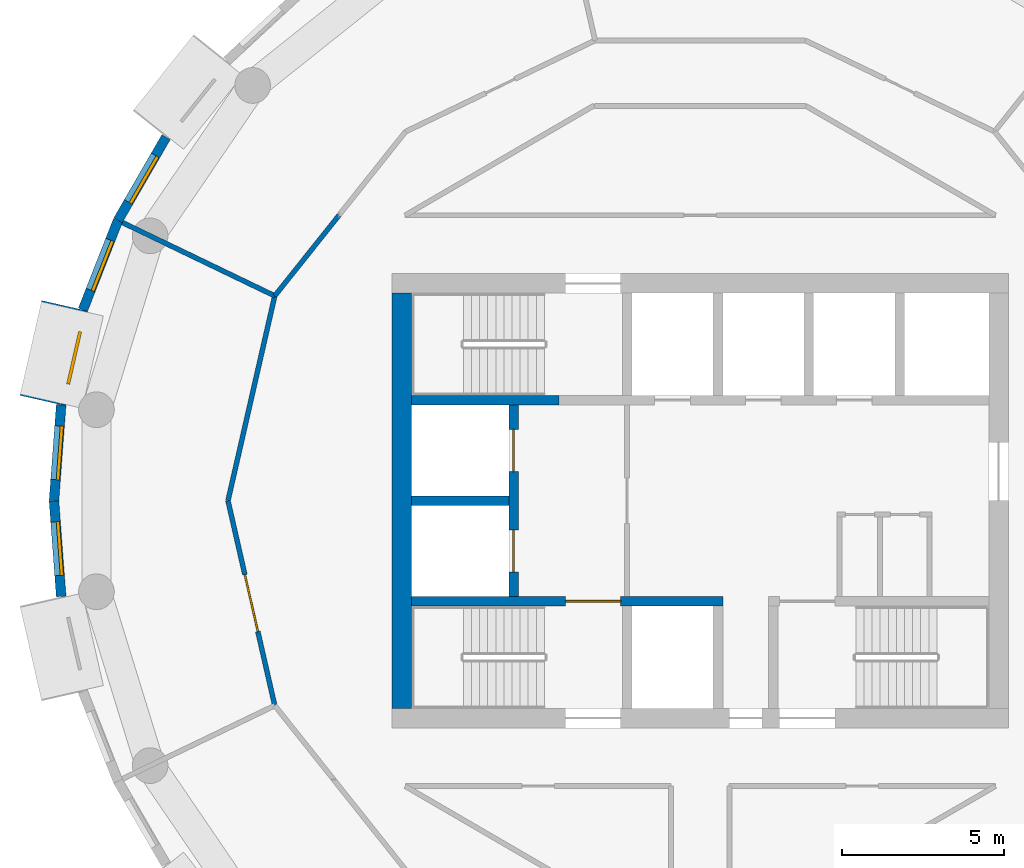
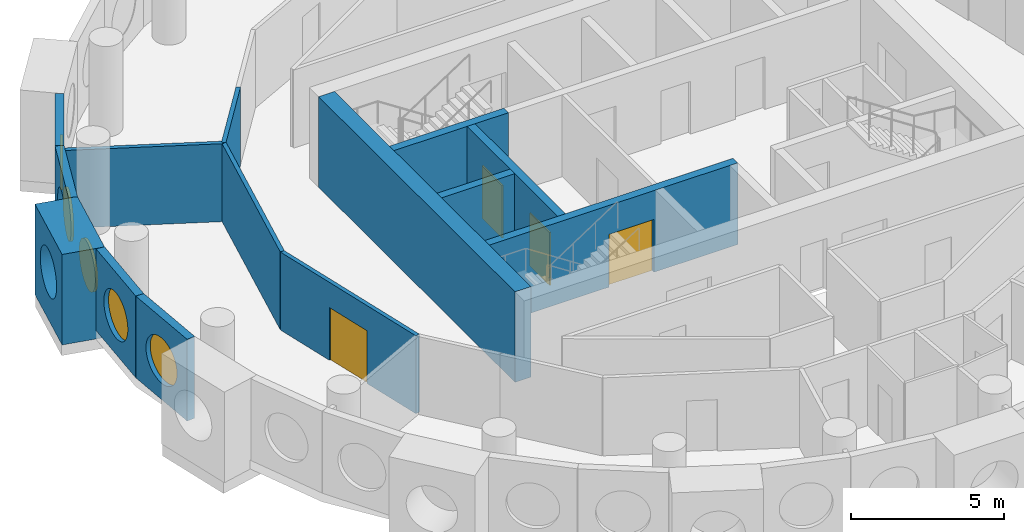
# One storey, part 6 of 13: 14 walls, 5 windows, 4 doors, 9 openings.
"""IFC4 building model written with IfcOpenShell, lengths in metres."""

from ifc_helpers import new_model, si_unit, direction, frame, frame_2d, origin, origin_2d, place, context, subcontext, project, spatial, rectangle, circle, extrude, material, layer, layer_set, type_object, element, fill, save


model = new_model("IFC4")

# Units and contexts
model_context = context("Model", 3, precision=1e-05, world=origin(), true_north=direction((0.0, 1.0)))
body_context = subcontext(model_context, "Body", "Model", "MODEL_VIEW")
ifc_project = project(units=[si_unit("LENGTHUNIT", "METRE"), si_unit("AREAUNIT", "SQUARE_METRE"), si_unit("VOLUMEUNIT", "CUBIC_METRE"), si_unit("PLANEANGLEUNIT", "RADIAN"), si_unit("MASSUNIT", "GRAM", prefix="KILO")], contexts=[model_context])

# Site, building, storey
site_placement = place(None, origin())
site = spatial("IfcSite", under=ifc_project, at=site_placement, CompositionType="ELEMENT")
building_placement = place(site_placement, origin())
building = spatial("IfcBuilding", under=site, at=building_placement, Name="Tracery Tower", CompositionType="ELEMENT")
storey_placement = place(building_placement, frame((0.0, 0.0, 270.60009765625)))
storey = spatial("IfcBuildingStorey", under=building, at=storey_placement, Name="L70", CompositionType="ELEMENT", Elevation=270.60009765625)

# Wall
ifc_material_1 = material(Name="Concrete C40/50", Category="concrete")
ifc_layer_1 = layer(ifc_material_1, 0.60009765625)
ifc_layer_set_1 = layer_set([ifc_layer_1], Name="Core wall 600 C40")
wall_type_1 = type_object("IfcWallType", Name="Core wall 600 C40", PredefinedType="SOLIDWALL", material=ifc_layer_set_1)
wall_1_placement = place(storey_placement, frame((-9.199951171875, -6.39990234375, 0.0), z_axis=(0.0, 0.0, 1.0), x_axis=(0.0, 1.0, 0.0)))
element("IfcWall", 1, at=wall_1_placement, inside=storey, type_object=wall_type_1, Name="L70 outer W", PredefinedType="SOLIDWALL", context=body_context, shape_type="SweptSolid", body=[
    extrude(rectangle(XDim=12.7998046875, YDim=0.60009765625, at=frame_2d((6.39990234375, 0.0))), origin(), (0.0, 0.0, 1.0), 3.599853515625),
])

# Wall, opening, window
ifc_material_2 = material(Name="Precast concrete C50/60", Category="concrete")
ifc_layer_2 = layer(ifc_material_2, 1.449951171875)
ifc_layer_set_2 = layer_set([ifc_layer_2], Name="Deep-set bay unit 3000 x 3600, slab edge 350")
wall_type_2 = type_object("IfcWallType", Name="Deep-set bay unit 3000 x 3600, slab edge 350", PredefinedType="ELEMENTEDWALL", material=ifc_layer_set_2)
wall_2_placement = place(storey_placement, frame((-19.5947265625, 6.010986328125, -0.35009765625), z_axis=(0.0, 0.0, 1.0), x_axis=(-0.222570682856, -0.974916555985, 0.0)))
wall_2 = element("IfcWall", 2, at=wall_2_placement, inside=storey, type_object=wall_type_2, Name="Deep-set bay unit 20 at L70", PredefinedType="ELEMENTEDWALL", context=body_context, shape_type="SweptSolid", body=[
    extrude(rectangle(XDim=3.0, YDim=1.449951171875, at=frame_2d((1.5, 0.0))), origin(), (0.0, 0.0, 1.0), 3.60009765625),
])
opening_1_placement = place(wall_2_placement, frame((1.5, 0.0, 1.89990234375)))
opening_1 = element("IfcOpeningElement", 3, at=opening_1_placement, cuts=wall_2, Name="Opening WN1", PredefinedType="OPENING", context=body_context, shape_type="SweptSolid", body=[
    extrude(circle(Radius=0.9000244140625, at=origin_2d()), frame((0.0, 0.73486328125, 0.0), z_axis=(0.0, -1.0, 0.0), x_axis=(1.0, 0.0, 0.0)), (0.0, 0.0, 1.0), 1.469970703125),
])
ifc_material_3 = material(Name="Aluminium frame with tinted double glazing", Category="aluminium")
window_type = type_object("IfcWindowType", Name="Round window 1800", PartitioningType="SINGLE_PANEL", PredefinedType="WINDOW", material=ifc_material_3)
window_1_placement = place(opening_1_placement, origin())
window_1 = element("IfcWindow", 4, at=window_1_placement, inside=storey, type_object=window_type, Name="Round window 20 at L70", OverallHeight=1.800048828125, OverallWidth=1.800048828125, PartitioningType="SINGLE_PANEL", PredefinedType="WINDOW", context=body_context, shape_type="SweptSolid", body=[
    extrude(circle(Radius=0.9000244140625, at=origin_2d()), frame((0.0, 0.69482421875, 0.0), z_axis=(0.0, -1.0, 0.0), x_axis=(1.0, 0.0, 0.0)), (0.0, 0.0, 1.0), 0.10009765625),
])
fill(opening_1, window_1)

ifc_material_4 = material(Name="Precast concrete C50/60", Category="concrete")
ifc_layer_3 = layer(ifc_material_4, 0.300048828125)
ifc_layer_set_3 = layer_set([ifc_layer_3], Name="Facade panel 3000 x 3250")
wall_type_3 = type_object("IfcWallType", Name="Facade panel 3000 x 3250", PredefinedType="SOLIDWALL", material=ifc_layer_set_3)
wall_3_placement = place(storey_placement, frame((-16.4677734375, 11.209228515625, 0.0), z_axis=(0.0, 0.0, 1.0), x_axis=(-0.500012570604, -0.866018146021, 0.0)))
wall_3 = element("IfcWall", 5, at=wall_3_placement, inside=storey, type_object=wall_type_3, Name="Facade panel 18 at L70", PredefinedType="SOLIDWALL", context=body_context, shape_type="SweptSolid", body=[
    extrude(rectangle(XDim=2.96240234375, YDim=0.300048828125, at=frame_2d((1.481201171875, 0.0))), origin(), (0.0, 0.0, 1.0), 3.25),
])
opening_2_placement = place(wall_3_placement, frame((1.48095703125, 0.0, 1.5498046875)))
opening_2 = element("IfcOpeningElement", 6, at=opening_2_placement, cuts=wall_3, Name="Opening WN1", PredefinedType="OPENING", context=body_context, shape_type="SweptSolid", body=[
    extrude(circle(Radius=0.9000244140625, at=origin_2d()), frame((0.0, 0.159912109375, 0.0), z_axis=(0.0, -1.0, 0.0), x_axis=(1.0, 0.0, 0.0)), (0.0, 0.0, 1.0), 0.320068359375),
])
window_2_placement = place(opening_2_placement, origin())
window_2 = element("IfcWindow", 7, at=window_2_placement, inside=storey, type_object=window_type, Name="Round window 18 at L70", OverallHeight=1.800048828125, OverallWidth=1.800048828125, PartitioningType="SINGLE_PANEL", PredefinedType="WINDOW", context=body_context, shape_type="SweptSolid", body=[
    extrude(circle(Radius=0.9000244140625, at=origin_2d()), frame((0.0, 0.1201171875, 0.0), z_axis=(0.0, -1.0, 0.0), x_axis=(1.0, 0.0, 0.0)), (0.0, 0.0, 1.0), 0.10009765625),
])
fill(opening_2, window_2)

wall_4_placement = place(storey_placement, frame((-17.948974609375, 8.643798828125, 0.0), z_axis=(0.0, 0.0, 1.0), x_axis=(-0.365343821297, -0.930872650925, 0.0)))
wall_4 = element("IfcWall", 8, at=wall_4_placement, inside=storey, type_object=wall_type_3, Name="Facade panel 19 at L70", PredefinedType="SOLIDWALL", context=body_context, shape_type="SweptSolid", body=[
    extrude(rectangle(XDim=2.96240234375, YDim=0.300048828125, at=frame_2d((1.481201171875, 0.0))), origin(), (0.0, 0.0, 1.0), 3.25),
])
opening_3_placement = place(wall_4_placement, frame((1.48095703125, 0.0, 1.5498046875)))
opening_3 = element("IfcOpeningElement", 9, at=opening_3_placement, cuts=wall_4, Name="Opening WN1", PredefinedType="OPENING", context=body_context, shape_type="SweptSolid", body=[
    extrude(circle(Radius=0.9000244140625, at=origin_2d()), frame((0.0, 0.159912109375, 0.0), z_axis=(0.0, -1.0, 0.0), x_axis=(1.0, 0.0, 0.0)), (0.0, 0.0, 1.0), 0.320068359375),
])
window_3_placement = place(opening_3_placement, origin())
window_3 = element("IfcWindow", 10, at=window_3_placement, inside=storey, type_object=window_type, Name="Round window 19 at L70", OverallHeight=1.800048828125, OverallWidth=1.800048828125, PartitioningType="SINGLE_PANEL", PredefinedType="WINDOW", context=body_context, shape_type="SweptSolid", body=[
    extrude(circle(Radius=0.9000244140625, at=origin_2d()), frame((0.0, 0.1201171875, 0.0), z_axis=(0.0, -1.0, 0.0), x_axis=(1.0, 0.0, 0.0)), (0.0, 0.0, 1.0), 0.10009765625),
])
fill(opening_3, window_3)

wall_5_placement = place(storey_placement, frame((-19.700439453125, 2.953857421875, 0.0), z_axis=(0.0, 0.0, 1.0), x_axis=(-0.074755115547, -0.997201921729, 0.0)))
wall_5 = element("IfcWall", 11, at=wall_5_placement, inside=storey, type_object=wall_type_3, Name="Facade panel 21 at L70", PredefinedType="SOLIDWALL", context=body_context, shape_type="SweptSolid", body=[
    extrude(rectangle(XDim=2.962158203125, YDim=0.300048828125, at=frame_2d((1.48095703125, 0.0))), origin(), (0.0, 0.0, 1.0), 3.25),
])
opening_4_placement = place(wall_5_placement, frame((1.48095703125, 0.0, 1.5498046875)))
opening_4 = element("IfcOpeningElement", 12, at=opening_4_placement, cuts=wall_5, Name="Opening WN1", PredefinedType="OPENING", context=body_context, shape_type="SweptSolid", body=[
    extrude(circle(Radius=0.9000244140625, at=origin_2d()), frame((0.0, 0.159912109375, 0.0), z_axis=(0.0, -1.0, 0.0), x_axis=(1.0, 0.0, 0.0)), (0.0, 0.0, 1.0), 0.320068359375),
])
window_4_placement = place(opening_4_placement, origin())
window_4 = element("IfcWindow", 13, at=window_4_placement, inside=storey, type_object=window_type, Name="Round window 21 at L70", OverallHeight=1.800048828125, OverallWidth=1.800048828125, PartitioningType="SINGLE_PANEL", PredefinedType="WINDOW", context=body_context, shape_type="SweptSolid", body=[
    extrude(circle(Radius=0.9000244140625, at=origin_2d()), frame((0.0, 0.1201171875, 0.0), z_axis=(0.0, -1.0, 0.0), x_axis=(1.0, 0.0, 0.0)), (0.0, 0.0, 1.0), 0.10009765625),
])
fill(opening_4, window_4)

wall_6_placement = place(storey_placement, frame((-19.921875, 0.0, 0.0), z_axis=(0.0, 0.0, 1.0), x_axis=(0.074755115547, -0.997201921729, 0.0)))
wall_6 = element("IfcWall", 14, at=wall_6_placement, inside=storey, type_object=wall_type_3, Name="Facade panel 22 at L70", PredefinedType="SOLIDWALL", context=body_context, shape_type="SweptSolid", body=[
    extrude(rectangle(XDim=2.962158203125, YDim=0.300048828125, at=frame_2d((1.48095703125, 0.0))), origin(), (0.0, 0.0, 1.0), 3.25),
])
opening_5_placement = place(wall_6_placement, frame((1.48095703125, 0.0, 1.5498046875)))
opening_5 = element("IfcOpeningElement", 15, at=opening_5_placement, cuts=wall_6, Name="Opening WN1", PredefinedType="OPENING", context=body_context, shape_type="SweptSolid", body=[
    extrude(circle(Radius=0.9000244140625, at=origin_2d()), frame((0.0, 0.159912109375, 0.0), z_axis=(0.0, -1.0, 0.0), x_axis=(1.0, 0.0, 0.0)), (0.0, 0.0, 1.0), 0.320068359375),
])
window_5_placement = place(opening_5_placement, origin())
window_5 = element("IfcWindow", 16, at=window_5_placement, inside=storey, type_object=window_type, Name="Round window 22 at L70", OverallHeight=1.800048828125, OverallWidth=1.800048828125, PartitioningType="SINGLE_PANEL", PredefinedType="WINDOW", context=body_context, shape_type="SweptSolid", body=[
    extrude(circle(Radius=0.9000244140625, at=origin_2d()), frame((0.0, 0.1201171875, 0.0), z_axis=(0.0, -1.0, 0.0), x_axis=(1.0, 0.0, 0.0)), (0.0, 0.0, 1.0), 0.10009765625),
])
fill(opening_5, window_5)

# Walls
ifc_material_5 = material(Name="Plasterboard on steel studs", Category="steel")
ifc_layer_4 = layer(ifc_material_5, 0.14990234375)
ifc_layer_set_4 = layer_set([ifc_layer_4], Name="Partition 150 acoustic unit wall")
wall_type_4 = type_object("IfcWallType", Name="Partition 150 acoustic unit wall", PredefinedType="PARTITIONING", material=ifc_layer_set_4)
wall_7_placement = place(storey_placement, frame((-17.81298828125, 8.577880859375, 0.0), z_axis=(0.0, 0.0, 1.0), x_axis=(0.901004381064, -0.433809987557, 0.0)))
element("IfcWall", 17, at=wall_7_placement, inside=storey, type_object=wall_type_4, Name="Unit wall RC5-046", PredefinedType="PARTITIONING", context=body_context, shape_type="SweptSolid", body=[
    extrude(rectangle(XDim=5.214111328125, YDim=0.14990234375, at=frame_2d((2.60693359375, 0.0))), origin(), (0.0, 0.0, 1.0), 3.099853515625),
])
ifc_material_6 = material(Name="Plasterboard on steel studs", Category="steel")
ifc_layer_5 = layer(ifc_material_6, 0.14990234375)
ifc_layer_set_5 = layer_set([ifc_layer_5], Name="Partition 150 corridor wall")
wall_type_5 = type_object("IfcWallType", Name="Partition 150 corridor wall", PredefinedType="PARTITIONING", material=ifc_layer_set_5)
wall_8_placement = place(storey_placement, frame((-13.114990234375, 6.31591796875, 0.0), z_axis=(0.0, 0.0, 1.0), x_axis=(0.623476099415, 0.781842409606, 0.0)))
element("IfcWall", 18, at=wall_8_placement, inside=storey, type_object=wall_type_5, Name="Corridor wall RC5-030", PredefinedType="PARTITIONING", context=body_context, shape_type="SweptSolid", body=[
    extrude(rectangle(XDim=3.17724609375, YDim=0.14990234375, at=frame_2d((1.588623046875, 0.0))), origin(), (0.0, 0.0, 1.0), 3.099853515625),
])

# Wall, opening, door
wall_9_placement = place(storey_placement, frame((-14.556884765625, 0.0, 0.0), z_axis=(0.0, 0.0, 1.0), x_axis=(0.222568978642, -0.97491694505, 0.0)))
wall_9 = element("IfcWall", 19, at=wall_9_placement, inside=storey, type_object=wall_type_5, Name="Corridor wall RC5-031", PredefinedType="PARTITIONING", context=body_context, shape_type="SweptSolid", body=[
    extrude(rectangle(XDim=6.478515625, YDim=0.14990234375, at=frame_2d((3.2392578125, 0.0))), origin(), (0.0, 0.0, 1.0), 3.099853515625),
])
opening_6_placement = place(wall_9_placement, frame((2.339599609375, 0.0, 0.0)))
opening_6 = element("IfcOpeningElement", 20, at=opening_6_placement, cuts=wall_9, Name="Opening RC5-07", PredefinedType="OPENING", context=body_context, shape_type="SweptSolid", body=[
    extrude(rectangle(XDim=1.800048828125, YDim=2.10009765625, at=frame_2d((0.89990234375, 1.050048828125))), frame((0.0, 0.074951171875, 0.0), z_axis=(0.0, -1.0, 0.0), x_axis=(1.0, 0.0, 0.0)), (0.0, 0.0, 1.0), 0.14990234375),
])
ifc_material_7 = material(Name="Timber door leaf", Category="wood")
door_type_1 = type_object("IfcDoorType", Name="Door double lounge 1800", OperationType="NOTDEFINED", PredefinedType="DOOR", material=ifc_material_7)
door_1_placement = place(opening_6_placement, origin())
door_1 = element("IfcDoor", 21, at=door_1_placement, inside=storey, type_object=door_type_1, Name="Double lounge door RC5-07", OperationType="DOUBLE_DOOR_SINGLE_SWING", OverallHeight=2.10009765625, OverallWidth=1.800048828125, PredefinedType="DOOR", context=body_context, shape_type="SweptSolid", body=[
    extrude(rectangle(XDim=1.800048828125, YDim=2.10009765625, at=frame_2d((0.89990234375, 1.050048828125))), frame((0.0, 0.02490234375, 0.0), z_axis=(0.0, -1.0, 0.0), x_axis=(1.0, 0.0, 0.0)), (0.0, 0.0, 1.0), 0.050048828125),
])
fill(opening_6, door_1)

# Walls
wall_10_placement = place(storey_placement, frame((-14.556884765625, 0.0, 0.0), z_axis=(0.0, 0.0, 1.0), x_axis=(0.222568978642, 0.97491694505, 0.0)))
element("IfcWall", 22, at=wall_10_placement, inside=storey, type_object=wall_type_5, Name="Corridor wall RC5-032", PredefinedType="PARTITIONING", context=body_context, shape_type="SweptSolid", body=[
    extrude(rectangle(XDim=6.478515625, YDim=0.14990234375, at=frame_2d((3.2392578125, 0.0))), origin(), (0.0, 0.0, 1.0), 3.099853515625),
])
ifc_material_8 = material(Name="Concrete C40/50", Category="concrete")
ifc_layer_6 = layer(ifc_material_8, 0.300048828125)
ifc_layer_set_6 = layer_set([ifc_layer_6], Name="Shaft wall 300 C40")
wall_type_6 = type_object("IfcWallType", Name="Shaft wall 300 C40", PredefinedType="SOLIDWALL", material=ifc_layer_set_6)
wall_11_placement = place(storey_placement, frame((-8.89990234375, 0.0, 0.0), z_axis=(0.0, 0.0, 1.0), x_axis=(1.0, 0.0, 0.0)))
element("IfcWall", 23, at=wall_11_placement, inside=storey, type_object=wall_type_6, Name="L70 FF split", PredefinedType="SOLIDWALL", context=body_context, shape_type="SweptSolid", body=[
    extrude(rectangle(XDim=3.0, YDim=0.300048828125, at=frame_2d((1.5, 0.0))), origin(), (0.0, 0.0, 1.0), 3.25),
])

# Wall, openings, doors
wall_12_placement = place(storey_placement, frame((-5.75, -2.949951171875, 0.0), z_axis=(0.0, 0.0, 1.0), x_axis=(0.0, 1.0, 0.0)))
wall_12 = element("IfcWall", 24, at=wall_12_placement, inside=storey, type_object=wall_type_6, Name="L70 FF doors", PredefinedType="SOLIDWALL", context=body_context, shape_type="SweptSolid", body=[
    extrude(rectangle(XDim=5.89990234375, YDim=0.300048828125, at=frame_2d((2.949951171875, 0.0))), origin(), (0.0, 0.0, 1.0), 3.25),
])
opening_7_placement = place(wall_12_placement, frame((0.75, 0.0, 0.0)))
opening_7 = element("IfcOpeningElement", 25, at=opening_7_placement, cuts=wall_12, Name="Opening KD54", PredefinedType="OPENING", context=body_context, shape_type="SweptSolid", body=[
    extrude(rectangle(XDim=1.300048828125, YDim=2.10009765625, at=frame_2d((0.64990234375, 1.050048828125))), frame((0.0, 0.14990234375, 0.0), z_axis=(0.0, -1.0, 0.0), x_axis=(1.0, 0.0, 0.0)), (0.0, 0.0, 1.0), 0.300048828125),
])
opening_8_placement = place(wall_12_placement, frame((3.85009765625, 0.0, 0.0)))
opening_8 = element("IfcOpeningElement", 26, at=opening_8_placement, cuts=wall_12, Name="Opening KD55", PredefinedType="OPENING", context=body_context, shape_type="SweptSolid", body=[
    extrude(rectangle(XDim=1.300048828125, YDim=2.10009765625, at=frame_2d((0.64990234375, 1.050048828125))), frame((0.0, 0.14990234375, 0.0), z_axis=(0.0, -1.0, 0.0), x_axis=(1.0, 0.0, 0.0)), (0.0, 0.0, 1.0), 0.300048828125),
])
ifc_material_9 = material(Name="Steel fire door", Category="steel")
door_type_2 = type_object("IfcDoorType", Name="Landing door FF 1300", OperationType="NOTDEFINED", PredefinedType="DOOR", material=ifc_material_9)
door_2_placement = place(opening_7_placement, origin())
door_2 = element("IfcDoor", 27, at=door_2_placement, inside=storey, type_object=door_type_2, Name="Landing door FF1", OperationType="SLIDING_TO_LEFT", OverallHeight=2.10009765625, OverallWidth=1.300048828125, PredefinedType="DOOR", context=body_context, shape_type="SweptSolid", body=[
    extrude(rectangle(XDim=1.300048828125, YDim=2.10009765625, at=frame_2d((0.64990234375, 1.050048828125))), frame((0.0, 0.02490234375, 0.0), z_axis=(0.0, -1.0, 0.0), x_axis=(1.0, 0.0, 0.0)), (0.0, 0.0, 1.0), 0.050048828125),
])
fill(opening_7, door_2)
door_3_placement = place(opening_8_placement, origin())
door_3 = element("IfcDoor", 28, at=door_3_placement, inside=storey, type_object=door_type_2, Name="Landing door FF2", OperationType="SLIDING_TO_RIGHT", OverallHeight=2.10009765625, OverallWidth=1.300048828125, PredefinedType="DOOR", context=body_context, shape_type="SweptSolid", body=[
    extrude(rectangle(XDim=1.300048828125, YDim=2.10009765625, at=frame_2d((0.64990234375, 1.050048828125))), frame((0.0, 0.02490234375, 0.0), z_axis=(0.0, -1.0, 0.0), x_axis=(1.0, 0.0, 0.0)), (0.0, 0.0, 1.0), 0.050048828125),
])
fill(opening_8, door_3)

# Wall, opening, door
ifc_material_10 = material(Name="Concrete C40/50", Category="concrete")
ifc_layer_7 = layer(ifc_material_10, 0.300048828125)
ifc_layer_set_7 = layer_set([ifc_layer_7], Name="Stair wall 300 C40")
wall_type_7 = type_object("IfcWallType", Name="Stair wall 300 C40", PredefinedType="SOLIDWALL", material=ifc_layer_set_7)
wall_13_placement = place(storey_placement, frame((-8.89990234375, -3.10009765625, 0.0), z_axis=(0.0, 0.0, 1.0), x_axis=(1.0, 0.0, 0.0)))
wall_13 = element("IfcWall", 29, at=wall_13_placement, inside=storey, type_object=wall_type_7, Name="L70 row S", PredefinedType="SOLIDWALL", context=body_context, shape_type="SweptSolid", body=[
    extrude(rectangle(XDim=9.599853515625, YDim=0.300048828125, at=frame_2d((4.7998046875, 0.0))), origin(), (0.0, 0.0, 1.0), 3.25),
])
opening_9_placement = place(wall_13_placement, frame((4.75, 0.0, 0.0)))
opening_9 = element("IfcOpeningElement", 30, at=opening_9_placement, cuts=wall_13, Name="Opening KD3", PredefinedType="OPENING", context=body_context, shape_type="SweptSolid", body=[
    extrude(rectangle(XDim=1.699951171875, YDim=2.10009765625, at=frame_2d((0.85009765625, 1.050048828125))), frame((0.0, 0.14990234375, 0.0), z_axis=(0.0, -1.0, 0.0), x_axis=(1.0, 0.0, 0.0)), (0.0, 0.0, 1.0), 0.300048828125),
])
ifc_material_11 = material(Name="Steel fire door", Category="steel")
door_type_3 = type_object("IfcDoorType", Name="Core stair door 1700 double", OperationType="NOTDEFINED", PredefinedType="DOOR", material=ifc_material_11)
door_4_placement = place(opening_9_placement, origin())
door_4 = element("IfcDoor", 31, at=door_4_placement, inside=storey, type_object=door_type_3, Name="Stair door ST1", OperationType="DOUBLE_DOOR_SINGLE_SWING", OverallHeight=2.10009765625, OverallWidth=1.699951171875, PredefinedType="DOOR", context=body_context, shape_type="SweptSolid", body=[
    extrude(rectangle(XDim=1.699951171875, YDim=2.10009765625, at=frame_2d((0.85009765625, 1.050048828125))), frame((0.0, 0.02490234375, 0.0), z_axis=(0.0, -1.0, 0.0), x_axis=(1.0, 0.0, 0.0)), (0.0, 0.0, 1.0), 0.050048828125),
])
fill(opening_9, door_4)

# Wall
wall_14_placement = place(storey_placement, frame((-8.89990234375, 3.10009765625, 0.0), z_axis=(0.0, 0.0, 1.0), x_axis=(1.0, 0.0, 0.0)))
element("IfcWall", 32, at=wall_14_placement, inside=storey, type_object=wall_type_7, Name="L70 row N W", PredefinedType="SOLIDWALL", context=body_context, shape_type="SweptSolid", body=[
    extrude(rectangle(XDim=4.5498046875, YDim=0.300048828125, at=frame_2d((2.27490234375, 0.0))), origin(), (0.0, 0.0, 1.0), 3.25),
])

save(model, "model.ifc")
